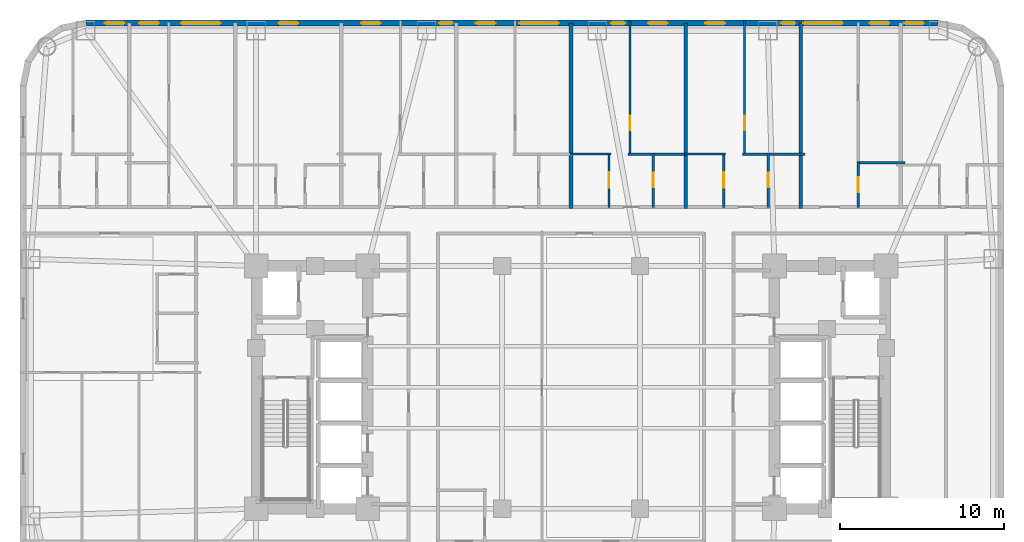
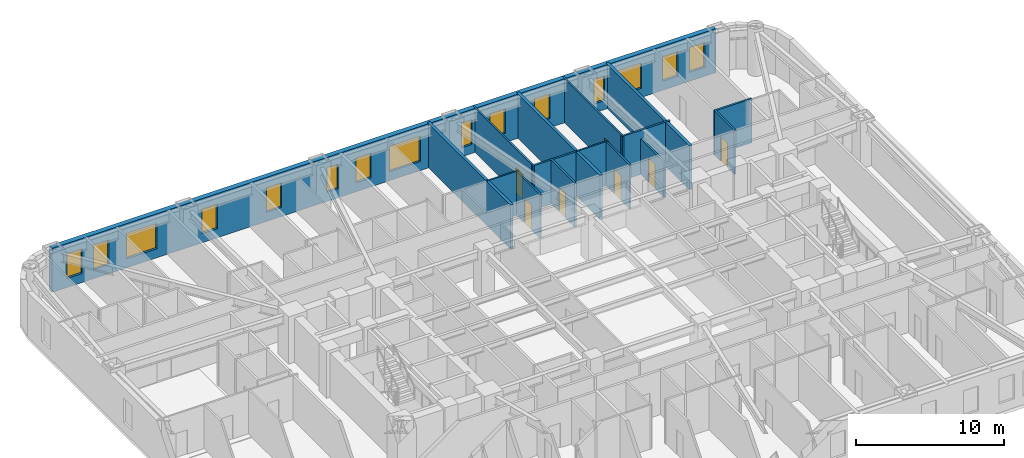
# One storey, part 9 of 12: 16 walls, 15 windows, 7 doors, 22 openings.
"""IFC4 building model written with IfcOpenShell, lengths in metres."""

from ifc_helpers import new_model, si_unit, direction, frame, frame_2d, origin, place, context, subcontext, project, spatial, rectangle, extrude, material, layer, layer_set, type_object, element, fill, save


model = new_model("IFC4")

# Units and contexts
model_context = context("Model", 3, precision=1e-05, world=origin(), true_north=direction((0.0, 1.0)))
body_context = subcontext(model_context, "Body", "Model", "MODEL_VIEW")
ifc_project = project(units=[si_unit("LENGTHUNIT", "METRE"), si_unit("AREAUNIT", "SQUARE_METRE"), si_unit("VOLUMEUNIT", "CUBIC_METRE"), si_unit("PLANEANGLEUNIT", "RADIAN"), si_unit("MASSUNIT", "GRAM", prefix="KILO")], contexts=[model_context])

# Site, building, storey
site_placement = place(None, origin())
site = spatial("IfcSite", under=ifc_project, at=site_placement, CompositionType="ELEMENT")
building_placement = place(site_placement, origin())
building = spatial("IfcBuilding", under=site, at=building_placement, Name="Voryun Gate Residences", CompositionType="ELEMENT")
storey_placement = place(building_placement, frame((0.0, 0.0, 65.0)))
storey = spatial("IfcBuildingStorey", under=building, at=storey_placement, Name="L15", CompositionType="ELEMENT", Elevation=65.0)

# Wall, openings, windows
ifc_material_1 = material(Name="Granite masonry", Category="masonry")
ifc_layer_1 = layer(ifc_material_1, 0.3798828125, Name="W_EXT_GRANITE_380")
ifc_layer_set_1 = layer_set([ifc_layer_1], Name="Granite masonry")
wall_type_1 = type_object("IfcWallType", Name="W_EXT_GRANITE_380", PredefinedType="ELEMENTEDWALL", material=ifc_layer_set_1)
wall_1_placement = place(storey_placement, frame((-29.581298828125, 22.2099609375, 0.0), z_axis=(0.0, 0.0, 1.0), x_axis=(1.0, 0.0, 0.0)))
wall_1 = element("IfcWall", 1, at=wall_1_placement, inside=storey, type_object=wall_type_1, Name="Exterior wall WEXT-L15-11", PredefinedType="ELEMENTEDWALL", context=body_context, shape_type="SweptSolid", body=[
    extrude(rectangle(XDim=51.962646484375, YDim=0.3798828125, at=frame_2d((25.9814453125, 0.0))), origin(), (0.0, 0.0, 1.0), 3.64990234375),
])
opening_1_placement = place(wall_1_placement, frame((5.810302734375, 0.0, 0.75)))
opening_1 = element("IfcOpeningElement", 2, at=opening_1_placement, cuts=wall_1, Name="Opening WN2", PredefinedType="OPENING", context=body_context, shape_type="SweptSolid", body=[
    extrude(rectangle(XDim=2.39990234375, YDim=2.10009765625, at=frame_2d((1.199951171875, 1.050048828125))), frame((0.0, 0.199951171875, 0.0), z_axis=(0.0, -1.0, 0.0), x_axis=(1.0, 0.0, 0.0)), (0.0, 0.0, 1.0), 0.39990234375),
])
opening_2_placement = place(wall_1_placement, frame((26.431396484375, 0.0, 0.75)))
opening_2 = element("IfcOpeningElement", 3, at=opening_2_placement, cuts=wall_1, Name="Opening WN2", PredefinedType="OPENING", context=body_context, shape_type="SweptSolid", body=[
    extrude(rectangle(XDim=2.39990234375, YDim=2.10009765625, at=frame_2d((1.199951171875, 1.050048828125))), frame((0.0, 0.199951171875, 0.0), z_axis=(0.0, -1.0, 0.0), x_axis=(1.0, 0.0, 0.0)), (0.0, 0.0, 1.0), 0.39990234375),
])
opening_3_placement = place(wall_1_placement, frame((43.752197265625, 0.0, 0.75)))
opening_3 = element("IfcOpeningElement", 4, at=opening_3_placement, cuts=wall_1, Name="Opening WN2", PredefinedType="OPENING", context=body_context, shape_type="SweptSolid", body=[
    extrude(rectangle(XDim=2.39990234375, YDim=2.10009765625, at=frame_2d((1.199951171875, 1.050048828125))), frame((0.0, 0.199951171875, 0.0), z_axis=(0.0, -1.0, 0.0), x_axis=(1.0, 0.0, 0.0)), (0.0, 0.0, 1.0), 0.39990234375),
])
opening_4_placement = place(wall_1_placement, frame((1.1630859375, 0.0, 0.75)))
opening_4 = element("IfcOpeningElement", 5, at=opening_4_placement, cuts=wall_1, Name="Opening WN6", PredefinedType="OPENING", context=body_context, shape_type="SweptSolid", body=[
    extrude(rectangle(XDim=1.199951171875, YDim=2.050048828125, at=frame_2d((0.60009765625, 1.02490234375))), frame((0.0, 0.199951171875, 0.0), z_axis=(0.0, -1.0, 0.0), x_axis=(1.0, 0.0, 0.0)), (0.0, 0.0, 1.0), 0.39990234375),
])
opening_5_placement = place(wall_1_placement, frame((3.250732421875, 0.0, 0.75)))
opening_5 = element("IfcOpeningElement", 6, at=opening_5_placement, cuts=wall_1, Name="Opening WN6", PredefinedType="OPENING", context=body_context, shape_type="SweptSolid", body=[
    extrude(rectangle(XDim=1.199951171875, YDim=2.050048828125, at=frame_2d((0.60009765625, 1.02490234375))), frame((0.0, 0.199951171875, 0.0), z_axis=(0.0, -1.0, 0.0), x_axis=(1.0, 0.0, 0.0)), (0.0, 0.0, 1.0), 0.39990234375),
])
opening_6_placement = place(wall_1_placement, frame((11.744873046875, 0.0, 0.75)))
opening_6 = element("IfcOpeningElement", 7, at=opening_6_placement, cuts=wall_1, Name="Opening WN6", PredefinedType="OPENING", context=body_context, shape_type="SweptSolid", body=[
    extrude(rectangle(XDim=1.199951171875, YDim=2.050048828125, at=frame_2d((0.60009765625, 1.02490234375))), frame((0.0, 0.199951171875, 0.0), z_axis=(0.0, -1.0, 0.0), x_axis=(1.0, 0.0, 0.0)), (0.0, 0.0, 1.0), 0.39990234375),
])
opening_7_placement = place(wall_1_placement, frame((16.7763671875, 0.0, 0.75)))
opening_7 = element("IfcOpeningElement", 8, at=opening_7_placement, cuts=wall_1, Name="Opening WN6", PredefinedType="OPENING", context=body_context, shape_type="SweptSolid", body=[
    extrude(rectangle(XDim=1.199951171875, YDim=2.050048828125, at=frame_2d((0.60009765625, 1.02490234375))), frame((0.0, 0.199951171875, 0.0), z_axis=(0.0, -1.0, 0.0), x_axis=(1.0, 0.0, 0.0)), (0.0, 0.0, 1.0), 0.39990234375),
])
opening_8_placement = place(wall_1_placement, frame((21.53125, 0.0, 0.75)))
opening_8 = element("IfcOpeningElement", 9, at=opening_8_placement, cuts=wall_1, Name="Opening WN9", PredefinedType="OPENING", context=body_context, shape_type="SweptSolid", body=[
    extrude(rectangle(XDim=0.85009765625, YDim=2.050048828125, at=frame_2d((0.425048828125, 1.02490234375))), frame((0.0, 0.199951171875, 0.0), z_axis=(0.0, -1.0, 0.0), x_axis=(1.0, 0.0, 0.0)), (0.0, 0.0, 1.0), 0.39990234375),
])
opening_9_placement = place(wall_1_placement, frame((23.7763671875, 0.0, 0.75)))
opening_9 = element("IfcOpeningElement", 10, at=opening_9_placement, cuts=wall_1, Name="Opening WN6", PredefinedType="OPENING", context=body_context, shape_type="SweptSolid", body=[
    extrude(rectangle(XDim=1.199951171875, YDim=2.050048828125, at=frame_2d((0.60009765625, 1.02490234375))), frame((0.0, 0.199951171875, 0.0), z_axis=(0.0, -1.0, 0.0), x_axis=(1.0, 0.0, 0.0)), (0.0, 0.0, 1.0), 0.39990234375),
])
opening_10_placement = place(wall_1_placement, frame((32.03125, 0.0, 0.75)))
opening_10 = element("IfcOpeningElement", 11, at=opening_10_placement, cuts=wall_1, Name="Opening WN9", PredefinedType="OPENING", context=body_context, shape_type="SweptSolid", body=[
    extrude(rectangle(XDim=0.85009765625, YDim=2.050048828125, at=frame_2d((0.425048828125, 1.02490234375))), frame((0.0, 0.199951171875, 0.0), z_axis=(0.0, -1.0, 0.0), x_axis=(1.0, 0.0, 0.0)), (0.0, 0.0, 1.0), 0.39990234375),
])
opening_11_placement = place(wall_1_placement, frame((34.2763671875, 0.0, 0.75)))
opening_11 = element("IfcOpeningElement", 12, at=opening_11_placement, cuts=wall_1, Name="Opening WN6", PredefinedType="OPENING", context=body_context, shape_type="SweptSolid", body=[
    extrude(rectangle(XDim=1.199951171875, YDim=2.050048828125, at=frame_2d((0.60009765625, 1.02490234375))), frame((0.0, 0.199951171875, 0.0), z_axis=(0.0, -1.0, 0.0), x_axis=(1.0, 0.0, 0.0)), (0.0, 0.0, 1.0), 0.39990234375),
])
opening_12_placement = place(wall_1_placement, frame((37.7763671875, 0.0, 0.75)))
opening_12 = element("IfcOpeningElement", 13, at=opening_12_placement, cuts=wall_1, Name="Opening WN6", PredefinedType="OPENING", context=body_context, shape_type="SweptSolid", body=[
    extrude(rectangle(XDim=1.199951171875, YDim=2.050048828125, at=frame_2d((0.60009765625, 1.02490234375))), frame((0.0, 0.199951171875, 0.0), z_axis=(0.0, -1.0, 0.0), x_axis=(1.0, 0.0, 0.0)), (0.0, 0.0, 1.0), 0.39990234375),
])
opening_13_placement = place(wall_1_placement, frame((42.411376953125, 0.0, 0.75)))
opening_13 = element("IfcOpeningElement", 14, at=opening_13_placement, cuts=wall_1, Name="Opening WN9", PredefinedType="OPENING", context=body_context, shape_type="SweptSolid", body=[
    extrude(rectangle(XDim=0.85009765625, YDim=2.050048828125, at=frame_2d((0.425048828125, 1.02490234375))), frame((0.0, 0.199951171875, 0.0), z_axis=(0.0, -1.0, 0.0), x_axis=(1.0, 0.0, 0.0)), (0.0, 0.0, 1.0), 0.39990234375),
])
opening_14_placement = place(wall_1_placement, frame((47.790771484375, 0.0, 0.75)))
opening_14 = element("IfcOpeningElement", 15, at=opening_14_placement, cuts=wall_1, Name="Opening WN6", PredefinedType="OPENING", context=body_context, shape_type="SweptSolid", body=[
    extrude(rectangle(XDim=1.199951171875, YDim=2.050048828125, at=frame_2d((0.60009765625, 1.02490234375))), frame((0.0, 0.199951171875, 0.0), z_axis=(0.0, -1.0, 0.0), x_axis=(1.0, 0.0, 0.0)), (0.0, 0.0, 1.0), 0.39990234375),
])
opening_15_placement = place(wall_1_placement, frame((49.9013671875, 0.0, 0.75)))
opening_15 = element("IfcOpeningElement", 16, at=opening_15_placement, cuts=wall_1, Name="Opening WN6", PredefinedType="OPENING", context=body_context, shape_type="SweptSolid", body=[
    extrude(rectangle(XDim=1.199951171875, YDim=2.050048828125, at=frame_2d((0.60009765625, 1.02490234375))), frame((0.0, 0.199951171875, 0.0), z_axis=(0.0, -1.0, 0.0), x_axis=(1.0, 0.0, 0.0)), (0.0, 0.0, 1.0), 0.39990234375),
])
ifc_material_2 = material(Name="Laminated low-E glass", Category="glass")
window_type_1 = type_object("IfcWindowType", Name="WN_POD_SLOT_1200", PartitioningType="SINGLE_PANEL", PredefinedType="WINDOW", material=ifc_material_2)
window_1_placement = place(opening_4_placement, origin())
window_1 = element("IfcWindow", 17, at=window_1_placement, inside=storey, type_object=window_type_1, Name="Window WN-L15-DWFIX-02", OverallHeight=2.050048828125, OverallWidth=1.199951171875, PartitioningType="SINGLE_PANEL", PredefinedType="WINDOW", context=body_context, shape_type="SweptSolid", body=[
    extrude(rectangle(XDim=1.199951171875, YDim=2.050048828125, at=frame_2d((0.60009765625, 1.02490234375))), frame((0.0, 0.030029296875, 0.0), z_axis=(0.0, -1.0, 0.0), x_axis=(1.0, 0.0, 0.0)), (0.0, 0.0, 1.0), 0.06005859375),
])
fill(opening_4, window_1)
window_2_placement = place(opening_5_placement, origin())
window_2 = element("IfcWindow", 18, at=window_2_placement, inside=storey, type_object=window_type_1, Name="Window WN-L15-DWFIX-03", OverallHeight=2.050048828125, OverallWidth=1.199951171875, PartitioningType="SINGLE_PANEL", PredefinedType="WINDOW", context=body_context, shape_type="SweptSolid", body=[
    extrude(rectangle(XDim=1.199951171875, YDim=2.050048828125, at=frame_2d((0.60009765625, 1.02490234375))), frame((0.0, 0.030029296875, 0.0), z_axis=(0.0, -1.0, 0.0), x_axis=(1.0, 0.0, 0.0)), (0.0, 0.0, 1.0), 0.06005859375),
])
fill(opening_5, window_2)
window_3_placement = place(opening_6_placement, origin())
window_3 = element("IfcWindow", 19, at=window_3_placement, inside=storey, type_object=window_type_1, Name="Window WN-L15-DWFIX-04", OverallHeight=2.050048828125, OverallWidth=1.199951171875, PartitioningType="SINGLE_PANEL", PredefinedType="WINDOW", context=body_context, shape_type="SweptSolid", body=[
    extrude(rectangle(XDim=1.199951171875, YDim=2.050048828125, at=frame_2d((0.60009765625, 1.02490234375))), frame((0.0, 0.030029296875, 0.0), z_axis=(0.0, -1.0, 0.0), x_axis=(1.0, 0.0, 0.0)), (0.0, 0.0, 1.0), 0.06005859375),
])
fill(opening_6, window_3)
window_4_placement = place(opening_7_placement, origin())
window_4 = element("IfcWindow", 20, at=window_4_placement, inside=storey, type_object=window_type_1, Name="Window WN-L15-DWFIX-05", OverallHeight=2.050048828125, OverallWidth=1.199951171875, PartitioningType="SINGLE_PANEL", PredefinedType="WINDOW", context=body_context, shape_type="SweptSolid", body=[
    extrude(rectangle(XDim=1.199951171875, YDim=2.050048828125, at=frame_2d((0.60009765625, 1.02490234375))), frame((0.0, 0.030029296875, 0.0), z_axis=(0.0, -1.0, 0.0), x_axis=(1.0, 0.0, 0.0)), (0.0, 0.0, 1.0), 0.06005859375),
])
fill(opening_7, window_4)
window_5_placement = place(opening_9_placement, origin())
window_5 = element("IfcWindow", 21, at=window_5_placement, inside=storey, type_object=window_type_1, Name="Window WN-L15-DWFIX-07", OverallHeight=2.050048828125, OverallWidth=1.199951171875, PartitioningType="SINGLE_PANEL", PredefinedType="WINDOW", context=body_context, shape_type="SweptSolid", body=[
    extrude(rectangle(XDim=1.199951171875, YDim=2.050048828125, at=frame_2d((0.60009765625, 1.02490234375))), frame((0.0, 0.030029296875, 0.0), z_axis=(0.0, -1.0, 0.0), x_axis=(1.0, 0.0, 0.0)), (0.0, 0.0, 1.0), 0.06005859375),
])
fill(opening_9, window_5)
window_6_placement = place(opening_11_placement, origin())
window_6 = element("IfcWindow", 22, at=window_6_placement, inside=storey, type_object=window_type_1, Name="Window WN-L15-DWFIX-09", OverallHeight=2.050048828125, OverallWidth=1.199951171875, PartitioningType="SINGLE_PANEL", PredefinedType="WINDOW", context=body_context, shape_type="SweptSolid", body=[
    extrude(rectangle(XDim=1.199951171875, YDim=2.050048828125, at=frame_2d((0.60009765625, 1.02490234375))), frame((0.0, 0.030029296875, 0.0), z_axis=(0.0, -1.0, 0.0), x_axis=(1.0, 0.0, 0.0)), (0.0, 0.0, 1.0), 0.06005859375),
])
fill(opening_11, window_6)
window_7_placement = place(opening_12_placement, origin())
window_7 = element("IfcWindow", 23, at=window_7_placement, inside=storey, type_object=window_type_1, Name="Window WN-L15-DWFIX-10", OverallHeight=2.050048828125, OverallWidth=1.199951171875, PartitioningType="SINGLE_PANEL", PredefinedType="WINDOW", context=body_context, shape_type="SweptSolid", body=[
    extrude(rectangle(XDim=1.199951171875, YDim=2.050048828125, at=frame_2d((0.60009765625, 1.02490234375))), frame((0.0, 0.030029296875, 0.0), z_axis=(0.0, -1.0, 0.0), x_axis=(1.0, 0.0, 0.0)), (0.0, 0.0, 1.0), 0.06005859375),
])
fill(opening_12, window_7)
window_8_placement = place(opening_14_placement, origin())
window_8 = element("IfcWindow", 24, at=window_8_placement, inside=storey, type_object=window_type_1, Name="Window WN-L15-DWFIX-12", OverallHeight=2.050048828125, OverallWidth=1.199951171875, PartitioningType="SINGLE_PANEL", PredefinedType="WINDOW", context=body_context, shape_type="SweptSolid", body=[
    extrude(rectangle(XDim=1.199951171875, YDim=2.050048828125, at=frame_2d((0.60009765625, 1.02490234375))), frame((0.0, 0.030029296875, 0.0), z_axis=(0.0, -1.0, 0.0), x_axis=(1.0, 0.0, 0.0)), (0.0, 0.0, 1.0), 0.06005859375),
])
fill(opening_14, window_8)
window_9_placement = place(opening_15_placement, origin())
window_9 = element("IfcWindow", 25, at=window_9_placement, inside=storey, type_object=window_type_1, Name="Window WN-L15-DWFIX-13", OverallHeight=2.050048828125, OverallWidth=1.199951171875, PartitioningType="SINGLE_PANEL", PredefinedType="WINDOW", context=body_context, shape_type="SweptSolid", body=[
    extrude(rectangle(XDim=1.199951171875, YDim=2.050048828125, at=frame_2d((0.60009765625, 1.02490234375))), frame((0.0, 0.030029296875, 0.0), z_axis=(0.0, -1.0, 0.0), x_axis=(1.0, 0.0, 0.0)), (0.0, 0.0, 1.0), 0.06005859375),
])
fill(opening_15, window_9)
ifc_material_3 = material(Name="Laminated low-E glass", Category="glass")
window_type_2 = type_object("IfcWindowType", Name="WN_RES_CASEMENT_850", PartitioningType="SINGLE_PANEL", PredefinedType="WINDOW", material=ifc_material_3)
window_10_placement = place(opening_8_placement, origin())
window_10 = element("IfcWindow", 26, at=window_10_placement, inside=storey, type_object=window_type_2, Name="Window WN-L15-DWFIX-06", OverallHeight=2.050048828125, OverallWidth=0.85009765625, PartitioningType="SINGLE_PANEL", PredefinedType="WINDOW", context=body_context, shape_type="SweptSolid", body=[
    extrude(rectangle(XDim=0.85009765625, YDim=2.050048828125, at=frame_2d((0.425048828125, 1.02490234375))), frame((0.0, 0.030029296875, 0.0), z_axis=(0.0, -1.0, 0.0), x_axis=(1.0, 0.0, 0.0)), (0.0, 0.0, 1.0), 0.06005859375),
])
fill(opening_8, window_10)
window_11_placement = place(opening_10_placement, origin())
window_11 = element("IfcWindow", 27, at=window_11_placement, inside=storey, type_object=window_type_2, Name="Window WN-L15-DWFIX-08", OverallHeight=2.050048828125, OverallWidth=0.85009765625, PartitioningType="SINGLE_PANEL", PredefinedType="WINDOW", context=body_context, shape_type="SweptSolid", body=[
    extrude(rectangle(XDim=0.85009765625, YDim=2.050048828125, at=frame_2d((0.425048828125, 1.02490234375))), frame((0.0, 0.030029296875, 0.0), z_axis=(0.0, -1.0, 0.0), x_axis=(1.0, 0.0, 0.0)), (0.0, 0.0, 1.0), 0.06005859375),
])
fill(opening_10, window_11)
window_12_placement = place(opening_13_placement, origin())
window_12 = element("IfcWindow", 28, at=window_12_placement, inside=storey, type_object=window_type_2, Name="Window WN-L15-DWFIX-11", OverallHeight=2.050048828125, OverallWidth=0.85009765625, PartitioningType="SINGLE_PANEL", PredefinedType="WINDOW", context=body_context, shape_type="SweptSolid", body=[
    extrude(rectangle(XDim=0.85009765625, YDim=2.050048828125, at=frame_2d((0.425048828125, 1.02490234375))), frame((0.0, 0.030029296875, 0.0), z_axis=(0.0, -1.0, 0.0), x_axis=(1.0, 0.0, 0.0)), (0.0, 0.0, 1.0), 0.06005859375),
])
fill(opening_13, window_12)
ifc_material_4 = material(Name="Laminated low-E glass", Category="glass")
window_type_3 = type_object("IfcWindowType", Name="WN_RES_WIDE_2400", PartitioningType="SINGLE_PANEL", PredefinedType="WINDOW", material=ifc_material_4)
window_13_placement = place(opening_1_placement, origin())
window_13 = element("IfcWindow", 29, at=window_13_placement, inside=storey, type_object=window_type_3, Name="Window WN-WEXT-L15-11-01", OverallHeight=2.10009765625, OverallWidth=2.39990234375, PartitioningType="SINGLE_PANEL", PredefinedType="WINDOW", context=body_context, shape_type="SweptSolid", body=[
    extrude(rectangle(XDim=2.39990234375, YDim=2.10009765625, at=frame_2d((1.199951171875, 1.050048828125))), frame((0.0, 0.030029296875, 0.0), z_axis=(0.0, -1.0, 0.0), x_axis=(1.0, 0.0, 0.0)), (0.0, 0.0, 1.0), 0.06005859375),
])
fill(opening_1, window_13)
window_14_placement = place(opening_2_placement, origin())
window_14 = element("IfcWindow", 30, at=window_14_placement, inside=storey, type_object=window_type_3, Name="Window WN-WEXT-L15-11-02", OverallHeight=2.10009765625, OverallWidth=2.39990234375, PartitioningType="SINGLE_PANEL", PredefinedType="WINDOW", context=body_context, shape_type="SweptSolid", body=[
    extrude(rectangle(XDim=2.39990234375, YDim=2.10009765625, at=frame_2d((1.199951171875, 1.050048828125))), frame((0.0, 0.030029296875, 0.0), z_axis=(0.0, -1.0, 0.0), x_axis=(1.0, 0.0, 0.0)), (0.0, 0.0, 1.0), 0.06005859375),
])
fill(opening_2, window_14)
window_15_placement = place(opening_3_placement, origin())
window_15 = element("IfcWindow", 31, at=window_15_placement, inside=storey, type_object=window_type_3, Name="Window WN-WEXT-L15-11-03", OverallHeight=2.10009765625, OverallWidth=2.39990234375, PartitioningType="SINGLE_PANEL", PredefinedType="WINDOW", context=body_context, shape_type="SweptSolid", body=[
    extrude(rectangle(XDim=2.39990234375, YDim=2.10009765625, at=frame_2d((1.199951171875, 1.050048828125))), frame((0.0, 0.030029296875, 0.0), z_axis=(0.0, -1.0, 0.0), x_axis=(1.0, 0.0, 0.0)), (0.0, 0.0, 1.0), 0.06005859375),
])
fill(opening_3, window_15)

# Walls
ifc_material_5 = material(Name="Concrete C40/50", Category="concrete")
ifc_layer_2 = layer(ifc_material_5, 0.219970703125, Name="W_PARTY_ACOUSTIC_220")
ifc_layer_set_2 = layer_set([ifc_layer_2], Name="Concrete C40/50")
wall_type_2 = type_object("IfcWallType", Name="W_PARTY_ACOUSTIC_220", PredefinedType="PARTITIONING", material=ifc_layer_set_2)
for number, where, z_axis, x_axis, name in (
    (32, (0.0, 10.919921875, 0.0), (0.0, 0.0, 1.0), (0.0, 1.0, 0.0), "Partition wall WP-L15-NPTY-5"),
    (33, (7.0, 10.919921875, 0.0), (0.0, 0.0, 1.0), (0.0, 1.0, 0.0), "Partition wall WP-L15-NPTY-6"),
    (34, (14.0, 10.919921875, 0.0), (0.0, 0.0, 1.0), (0.0, 1.0, 0.0), "Partition wall WP-L15-NPTY-7"),
):
    element("IfcWall", number, at=place(storey_placement, frame(where, z_axis=z_axis, x_axis=x_axis)), inside=storey, type_object=wall_type_2, Name=name, PredefinedType="PARTITIONING", context=body_context, shape_type="SweptSolid", body=[
        extrude(rectangle(XDim=11.2900390625, YDim=0.219970703125, at=frame_2d((5.64501953125, 0.0))), origin(), (0.0, 0.0, 1.0), 3.64990234375),
    ])

# Wall, opening, door
ifc_material_6 = material(Name="Gypsum acoustic partition")
ifc_layer_3 = layer(ifc_material_6, 0.125, Name="W_UNIT_PART_125")
ifc_layer_set_3 = layer_set([ifc_layer_3], Name="Gypsum acoustic partition")
wall_type_3 = type_object("IfcWallType", Name="W_UNIT_PART_125", PredefinedType="PARTITIONING", material=ifc_layer_set_3)
wall_2_placement = place(storey_placement, frame((3.590087890625, 14.139892578125, 0.0), z_axis=(0.0, 0.0, 1.0), x_axis=(0.0, 1.0, 0.0)))
wall_2 = element("IfcWall", 35, at=wall_2_placement, inside=storey, type_object=wall_type_3, Name="Partition wall WP-L15-N6-OVR", PredefinedType="PARTITIONING", context=body_context, shape_type="SweptSolid", body=[
    extrude(rectangle(XDim=8.22021484375, YDim=0.125, at=frame_2d((4.110107421875, 0.0))), origin(), (0.0, 0.0, 1.0), 3.64990234375),
])
opening_16_placement = place(wall_2_placement, frame((1.522705078125, 0.0, 0.0)))
opening_16 = element("IfcOpeningElement", 36, at=opening_16_placement, cuts=wall_2, Name="Opening D-INT-2", PredefinedType="OPENING", context=body_context, shape_type="SweptSolid", body=[
    extrude(rectangle(XDim=0.89990234375, YDim=2.050048828125, at=frame_2d((0.449951171875, 1.02490234375))), frame((0.0, 0.072509765625, 0.0), z_axis=(0.0, -1.0, 0.0), x_axis=(1.0, 0.0, 0.0)), (0.0, 0.0, 1.0), 0.14501953125),
])
ifc_material_7 = material(Name="Architectural oak veneer")
door_type_1 = type_object("IfcDoorType", Name="DR_INT_BATH_900", OperationType="NOTDEFINED", PredefinedType="DOOR", material=ifc_material_7)
door_1_placement = place(opening_16_placement, origin())
door_1 = element("IfcDoor", 37, at=door_1_placement, inside=storey, type_object=door_type_1, Name="Door DR-L15-N6-DMB", OperationType="SINGLE_SWING_RIGHT", OverallHeight=2.050048828125, OverallWidth=0.89990234375, PredefinedType="DOOR", context=body_context, shape_type="SweptSolid", body=[
    extrude(rectangle(XDim=0.89990234375, YDim=2.050048828125, at=frame_2d((0.449951171875, 1.02490234375))), frame((0.0, 0.02490234375, 0.0), z_axis=(0.0, -1.0, 0.0), x_axis=(1.0, 0.0, 0.0)), (0.0, 0.0, 1.0), 0.050048828125),
])
fill(opening_16, door_1)

wall_3_placement = place(storey_placement, frame((2.31005859375, 10.97998046875, 0.0), z_axis=(0.0, 0.0, 1.0), x_axis=(0.0, 1.0, 0.0)))
wall_3 = element("IfcWall", 38, at=wall_3_placement, inside=storey, type_object=wall_type_3, Name="Partition wall WP-L15-N6-IVK", PredefinedType="PARTITIONING", context=body_context, shape_type="SweptSolid", body=[
    extrude(rectangle(XDim=3.320068359375, YDim=0.125, at=frame_2d((1.66015625, 0.0))), origin(), (0.0, 0.0, 1.0), 3.64990234375),
])
opening_17_placement = place(wall_3_placement, frame((1.18505859375, 0.0, 0.0)))
opening_17 = element("IfcOpeningElement", 39, at=opening_17_placement, cuts=wall_3, Name="Opening D-INT-1", PredefinedType="OPENING", context=body_context, shape_type="SweptSolid", body=[
    extrude(rectangle(XDim=0.949951171875, YDim=2.050048828125, at=frame_2d((0.47509765625, 1.02490234375))), frame((0.0, 0.072509765625, 0.0), z_axis=(0.0, -1.0, 0.0), x_axis=(1.0, 0.0, 0.0)), (0.0, 0.0, 1.0), 0.14501953125),
])
ifc_material_8 = material(Name="Architectural oak veneer")
door_type_2 = type_object("IfcDoorType", Name="DR_INT_ROOM_950", OperationType="NOTDEFINED", PredefinedType="DOOR", material=ifc_material_8)
door_2_placement = place(opening_17_placement, origin())
door_2 = element("IfcDoor", 40, at=door_2_placement, inside=storey, type_object=door_type_2, Name="Door DR-L15-N6-DK", OperationType="SINGLE_SWING_LEFT", OverallHeight=2.050048828125, OverallWidth=0.949951171875, PredefinedType="DOOR", context=body_context, shape_type="SweptSolid", body=[
    extrude(rectangle(XDim=0.949951171875, YDim=2.050048828125, at=frame_2d((0.47509765625, 1.02490234375))), frame((0.0, 0.02490234375, 0.0), z_axis=(0.0, -1.0, 0.0), x_axis=(1.0, 0.0, 0.0)), (0.0, 0.0, 1.0), 0.050048828125),
])
fill(opening_17, door_2)

# Wall
wall_4_placement = place(storey_placement, frame((-0.074951171875, 14.219970703125, 0.0), z_axis=(0.0, 0.0, 1.0), x_axis=(1.0, 0.0, 0.0)))
element("IfcWall", 41, at=wall_4_placement, inside=storey, type_object=wall_type_3, Name="Partition wall WP-L15-N6-HZK", PredefinedType="PARTITIONING", context=body_context, shape_type="SweptSolid", body=[
    extrude(rectangle(XDim=2.5048828125, YDim=0.125, at=frame_2d((1.25244140625, 0.0))), origin(), (0.0, 0.0, 1.0), 3.64990234375),
])

# Wall, opening, door
wall_5_placement = place(storey_placement, frame((10.590087890625, 14.139892578125, 0.0), z_axis=(0.0, 0.0, 1.0), x_axis=(0.0, 1.0, 0.0)))
wall_5 = element("IfcWall", 42, at=wall_5_placement, inside=storey, type_object=wall_type_3, Name="Partition wall WP-L15-N7-OVR", PredefinedType="PARTITIONING", context=body_context, shape_type="SweptSolid", body=[
    extrude(rectangle(XDim=8.22021484375, YDim=0.125, at=frame_2d((4.110107421875, 0.0))), origin(), (0.0, 0.0, 1.0), 3.64990234375),
])
opening_18_placement = place(wall_5_placement, frame((1.522705078125, 0.0, 0.0)))
opening_18 = element("IfcOpeningElement", 43, at=opening_18_placement, cuts=wall_5, Name="Opening D-INT-2", PredefinedType="OPENING", context=body_context, shape_type="SweptSolid", body=[
    extrude(rectangle(XDim=0.89990234375, YDim=2.050048828125, at=frame_2d((0.449951171875, 1.02490234375))), frame((0.0, 0.072509765625, 0.0), z_axis=(0.0, -1.0, 0.0), x_axis=(1.0, 0.0, 0.0)), (0.0, 0.0, 1.0), 0.14501953125),
])
door_3_placement = place(opening_18_placement, origin())
door_3 = element("IfcDoor", 44, at=door_3_placement, inside=storey, type_object=door_type_1, Name="Door DR-L15-N7-DMB", OperationType="SINGLE_SWING_RIGHT", OverallHeight=2.050048828125, OverallWidth=0.89990234375, PredefinedType="DOOR", context=body_context, shape_type="SweptSolid", body=[
    extrude(rectangle(XDim=0.89990234375, YDim=2.050048828125, at=frame_2d((0.449951171875, 1.02490234375))), frame((0.0, 0.02490234375, 0.0), z_axis=(0.0, -1.0, 0.0), x_axis=(1.0, 0.0, 0.0)), (0.0, 0.0, 1.0), 0.050048828125),
])
fill(opening_18, door_3)

wall_6_placement = place(storey_placement, frame((9.31005859375, 10.97998046875, 0.0), z_axis=(0.0, 0.0, 1.0), x_axis=(0.0, 1.0, 0.0)))
wall_6 = element("IfcWall", 45, at=wall_6_placement, inside=storey, type_object=wall_type_3, Name="Partition wall WP-L15-N7-IVK", PredefinedType="PARTITIONING", context=body_context, shape_type="SweptSolid", body=[
    extrude(rectangle(XDim=3.320068359375, YDim=0.125, at=frame_2d((1.66015625, 0.0))), origin(), (0.0, 0.0, 1.0), 3.64990234375),
])
opening_19_placement = place(wall_6_placement, frame((1.18505859375, 0.0, 0.0)))
opening_19 = element("IfcOpeningElement", 46, at=opening_19_placement, cuts=wall_6, Name="Opening D-INT-1", PredefinedType="OPENING", context=body_context, shape_type="SweptSolid", body=[
    extrude(rectangle(XDim=0.949951171875, YDim=2.050048828125, at=frame_2d((0.47509765625, 1.02490234375))), frame((0.0, 0.072509765625, 0.0), z_axis=(0.0, -1.0, 0.0), x_axis=(1.0, 0.0, 0.0)), (0.0, 0.0, 1.0), 0.14501953125),
])
door_4_placement = place(opening_19_placement, origin())
door_4 = element("IfcDoor", 47, at=door_4_placement, inside=storey, type_object=door_type_2, Name="Door DR-L15-N7-DK", OperationType="SINGLE_SWING_LEFT", OverallHeight=2.050048828125, OverallWidth=0.949951171875, PredefinedType="DOOR", context=body_context, shape_type="SweptSolid", body=[
    extrude(rectangle(XDim=0.949951171875, YDim=2.050048828125, at=frame_2d((0.47509765625, 1.02490234375))), frame((0.0, 0.02490234375, 0.0), z_axis=(0.0, -1.0, 0.0), x_axis=(1.0, 0.0, 0.0)), (0.0, 0.0, 1.0), 0.050048828125),
])
fill(opening_19, door_4)

# Walls
wall_7_placement = place(storey_placement, frame((6.925048828125, 14.219970703125, 0.0), z_axis=(0.0, 0.0, 1.0), x_axis=(1.0, 0.0, 0.0)))
element("IfcWall", 48, at=wall_7_placement, inside=storey, type_object=wall_type_3, Name="Partition wall WP-L15-N7-HZK", PredefinedType="PARTITIONING", context=body_context, shape_type="SweptSolid", body=[
    extrude(rectangle(XDim=2.5048828125, YDim=0.125, at=frame_2d((1.25244140625, 0.0))), origin(), (0.0, 0.0, 1.0), 3.64990234375),
])
ifc_material_9 = material(Name="Gypsum moisture-resistant partition")
ifc_layer_4 = layer(ifc_material_9, 0.14990234375, Name="W_WET_PLUMB_150")
ifc_layer_set_4 = layer_set([ifc_layer_4], Name="Gypsum moisture-resistant partition")
wall_type_4 = type_object("IfcWallType", Name="W_WET_PLUMB_150", PredefinedType="PLUMBINGWALL", material=ifc_layer_set_4)
wall_8_placement = place(storey_placement, frame((3.469970703125, 14.219970703125, 0.0), z_axis=(0.0, 0.0, 1.0), x_axis=(1.0, 0.0, 0.0)))
element("IfcWall", 49, at=wall_8_placement, inside=storey, type_object=wall_type_4, Name="Partition wall WP-L15-N6-HZB", PredefinedType="PLUMBINGWALL", context=body_context, shape_type="SweptSolid", body=[
    extrude(rectangle(XDim=3.60498046875, YDim=0.14990234375, at=frame_2d((1.802490234375, 0.0))), origin(), (0.0, 0.0, 1.0), 3.64990234375),
])

# Wall, opening, door
wall_9_placement = place(storey_placement, frame((5.02001953125, 10.97998046875, 0.0), z_axis=(0.0, 0.0, 1.0), x_axis=(0.0, 1.0, 0.0)))
wall_9 = element("IfcWall", 50, at=wall_9_placement, inside=storey, type_object=wall_type_4, Name="Partition wall WP-L15-N6-IVB", PredefinedType="PLUMBINGWALL", context=body_context, shape_type="SweptSolid", body=[
    extrude(rectangle(XDim=3.320068359375, YDim=0.14990234375, at=frame_2d((1.66015625, 0.0))), origin(), (0.0, 0.0, 1.0), 3.64990234375),
])
opening_20_placement = place(wall_9_placement, frame((1.2099609375, 0.0, 0.0)))
opening_20 = element("IfcOpeningElement", 51, at=opening_20_placement, cuts=wall_9, Name="Opening D-INT-2", PredefinedType="OPENING", context=body_context, shape_type="SweptSolid", body=[
    extrude(rectangle(XDim=0.89990234375, YDim=2.050048828125, at=frame_2d((0.449951171875, 1.02490234375))), frame((0.0, 0.0849609375, 0.0), z_axis=(0.0, -1.0, 0.0), x_axis=(1.0, 0.0, 0.0)), (0.0, 0.0, 1.0), 0.169921875),
])
door_5_placement = place(opening_20_placement, origin())
door_5 = element("IfcDoor", 52, at=door_5_placement, inside=storey, type_object=door_type_1, Name="Door DR-L15-N6-DB", OperationType="SINGLE_SWING_RIGHT", OverallHeight=2.050048828125, OverallWidth=0.89990234375, PredefinedType="DOOR", context=body_context, shape_type="SweptSolid", body=[
    extrude(rectangle(XDim=0.89990234375, YDim=2.050048828125, at=frame_2d((0.449951171875, 1.02490234375))), frame((0.0, 0.02490234375, 0.0), z_axis=(0.0, -1.0, 0.0), x_axis=(1.0, 0.0, 0.0)), (0.0, 0.0, 1.0), 0.050048828125),
])
fill(opening_20, door_5)

# Wall
wall_10_placement = place(storey_placement, frame((10.469970703125, 14.219970703125, 0.0), z_axis=(0.0, 0.0, 1.0), x_axis=(1.0, 0.0, 0.0)))
element("IfcWall", 53, at=wall_10_placement, inside=storey, type_object=wall_type_4, Name="Partition wall WP-L15-N7-HZB", PredefinedType="PLUMBINGWALL", context=body_context, shape_type="SweptSolid", body=[
    extrude(rectangle(XDim=3.7900390625, YDim=0.14990234375, at=frame_2d((1.89501953125, 0.0))), origin(), (0.0, 0.0, 1.0), 3.64990234375),
])

# Wall, opening, door
wall_11_placement = place(storey_placement, frame((12.02001953125, 10.97998046875, 0.0), z_axis=(0.0, 0.0, 1.0), x_axis=(0.0, 1.0, 0.0)))
wall_11 = element("IfcWall", 54, at=wall_11_placement, inside=storey, type_object=wall_type_4, Name="Partition wall WP-L15-N7-IVB", PredefinedType="PLUMBINGWALL", context=body_context, shape_type="SweptSolid", body=[
    extrude(rectangle(XDim=3.320068359375, YDim=0.14990234375, at=frame_2d((1.66015625, 0.0))), origin(), (0.0, 0.0, 1.0), 2.93994140625),
])
opening_21_placement = place(wall_11_placement, frame((1.2099609375, 0.0, 0.0)))
opening_21 = element("IfcOpeningElement", 55, at=opening_21_placement, cuts=wall_11, Name="Opening D-INT-2", PredefinedType="OPENING", context=body_context, shape_type="SweptSolid", body=[
    extrude(rectangle(XDim=0.89990234375, YDim=2.050048828125, at=frame_2d((0.449951171875, 1.02490234375))), frame((0.0, 0.0849609375, 0.0), z_axis=(0.0, -1.0, 0.0), x_axis=(1.0, 0.0, 0.0)), (0.0, 0.0, 1.0), 0.169921875),
])
door_6_placement = place(opening_21_placement, origin())
door_6 = element("IfcDoor", 56, at=door_6_placement, inside=storey, type_object=door_type_1, Name="Door DR-L15-N7-DB", OperationType="SINGLE_SWING_RIGHT", OverallHeight=2.050048828125, OverallWidth=0.89990234375, PredefinedType="DOOR", context=body_context, shape_type="SweptSolid", body=[
    extrude(rectangle(XDim=0.89990234375, YDim=2.050048828125, at=frame_2d((0.449951171875, 1.02490234375))), frame((0.0, 0.02490234375, 0.0), z_axis=(0.0, -1.0, 0.0), x_axis=(1.0, 0.0, 0.0)), (0.0, 0.0, 1.0), 0.050048828125),
])
fill(opening_21, door_6)

# Wall
wall_12_placement = place(storey_placement, frame((17.429931640625, 13.699951171875, 0.0), z_axis=(0.0, 0.0, 1.0), x_axis=(1.0, 0.0, 0.0)))
element("IfcWall", 57, at=wall_12_placement, inside=storey, type_object=wall_type_4, Name="Partition wall WP-L15-N8-SKB", PredefinedType="PLUMBINGWALL", context=body_context, shape_type="SweptSolid", body=[
    extrude(rectangle(XDim=2.93896484375, YDim=0.14990234375, at=frame_2d((1.469482421875, 0.0))), origin(), (0.0, 0.0, 1.0), 3.64990234375),
])

# Wall, opening, door
wall_13_placement = place(storey_placement, frame((17.510009765625, 10.97998046875, 0.0), z_axis=(0.0, 0.0, 1.0), x_axis=(0.0, 1.0, 0.0)))
wall_13 = element("IfcWall", 58, at=wall_13_placement, inside=storey, type_object=wall_type_4, Name="Partition wall WP-L15-N8-SVT1", PredefinedType="PLUMBINGWALL", context=body_context, shape_type="SweptSolid", body=[
    extrude(rectangle(XDim=2.760009765625, YDim=0.14990234375, at=frame_2d((1.3798828125, 0.0))), origin(), (0.0, 0.0, 1.0), 3.64990234375),
])
opening_22_placement = place(wall_13_placement, frame((0.929931640625, 0.0, 0.0)))
opening_22 = element("IfcOpeningElement", 59, at=opening_22_placement, cuts=wall_13, Name="Opening D-INT-2", PredefinedType="OPENING", context=body_context, shape_type="SweptSolid", body=[
    extrude(rectangle(XDim=0.89990234375, YDim=2.050048828125, at=frame_2d((0.449951171875, 1.02490234375))), frame((0.0, 0.0849609375, 0.0), z_axis=(0.0, -1.0, 0.0), x_axis=(1.0, 0.0, 0.0)), (0.0, 0.0, 1.0), 0.169921875),
])
door_7_placement = place(opening_22_placement, origin())
door_7 = element("IfcDoor", 60, at=door_7_placement, inside=storey, type_object=door_type_1, Name="Door DR-L15-N8-DB", OperationType="SINGLE_SWING_LEFT", OverallHeight=2.050048828125, OverallWidth=0.89990234375, PredefinedType="DOOR", context=body_context, shape_type="SweptSolid", body=[
    extrude(rectangle(XDim=0.89990234375, YDim=2.050048828125, at=frame_2d((0.449951171875, 1.02490234375))), frame((0.0, 0.02490234375, 0.0), z_axis=(0.0, -1.0, 0.0), x_axis=(1.0, 0.0, 0.0)), (0.0, 0.0, 1.0), 0.050048828125),
])
fill(opening_22, door_7)

save(model, "model.ifc")
